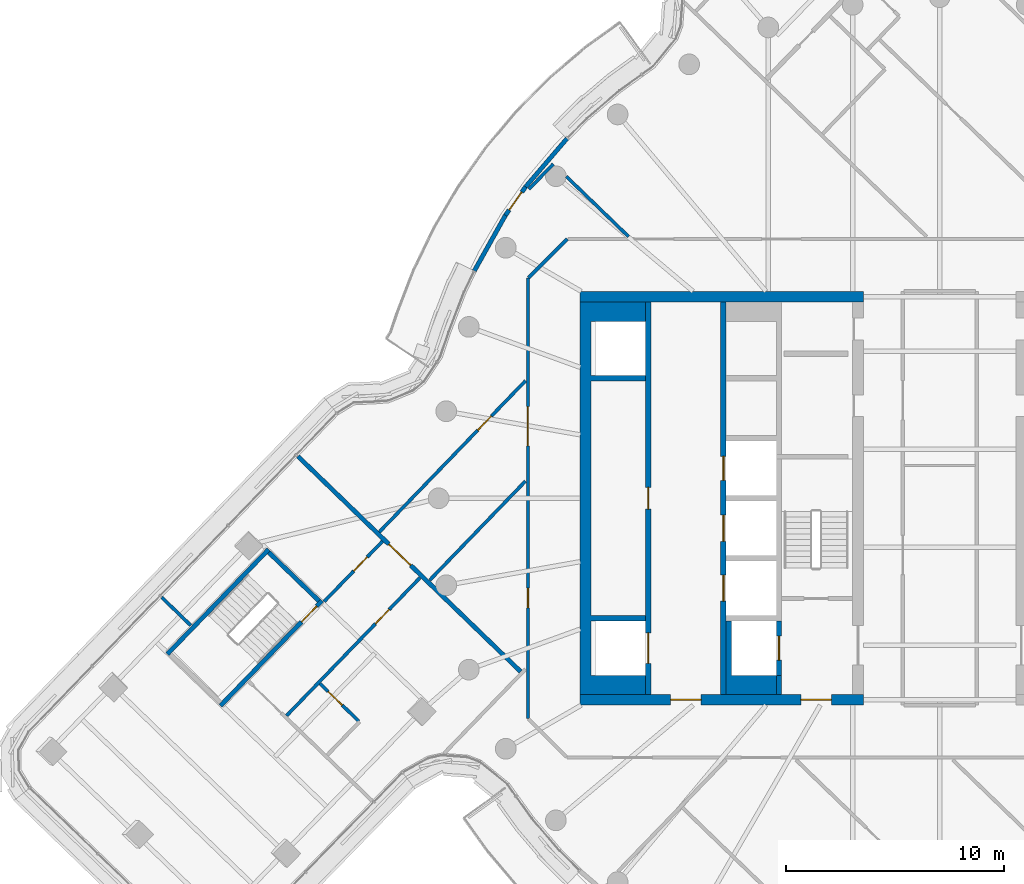
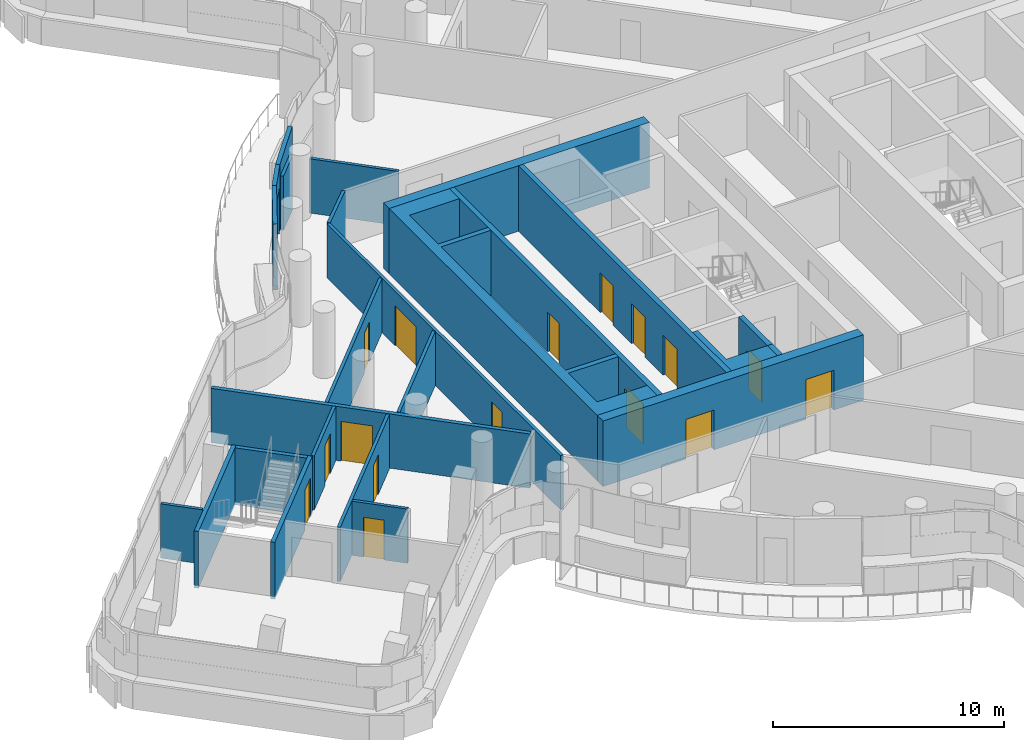
# One storey, part 20 of 31: 25 walls, 17 doors, 17 openings.
"""IFC4 building model written with IfcOpenShell, lengths in metres."""

from ifc_helpers import new_model, si_unit, direction, frame, frame_2d, origin, place, context, subcontext, project, spatial, polyline, rectangle, outline, extrude, material, layer, layer_set, type_object, element, fill, save


model = new_model("IFC4")

# Units and contexts
model_context = context("Model", 3, precision=1e-05, world=origin(), true_north=direction((0.0, 1.0)))
body_context = subcontext(model_context, "Body", "Model", "MODEL_VIEW")
ifc_project = project(units=[si_unit("LENGTHUNIT", "METRE"), si_unit("AREAUNIT", "SQUARE_METRE"), si_unit("VOLUMEUNIT", "CUBIC_METRE"), si_unit("PLANEANGLEUNIT", "RADIAN"), si_unit("MASSUNIT", "GRAM", prefix="KILO")], contexts=[model_context])

# Site, building, storey
site_placement = place(None, origin())
site = spatial("IfcSite", under=ifc_project, at=site_placement, CompositionType="ELEMENT")
building_placement = place(site_placement, origin())
building = spatial("IfcBuilding", under=site, at=building_placement, Name="Tamarind Cross Interchange Tower", CompositionType="ELEMENT")
storey_placement = place(building_placement, frame((0.0, 0.0, 200.5)))
storey = spatial("IfcBuildingStorey", under=building, at=storey_placement, Name="L50", CompositionType="ELEMENT", Elevation=200.5)

# Walls
ifc_material_1 = material(Name="Concrete C40", Category="concrete")
ifc_layer_1 = layer(ifc_material_1, 0.199951171875)
ifc_layer_set_1 = layer_set([ifc_layer_1], Name="Concrete C40")
wall_type_1 = type_object("IfcWallType", Name="Balcony and garden door wall", PredefinedType="SOLIDWALL", material=ifc_layer_set_1)
wall_1_placement = place(storey_placement, frame((-17.105712890625, 16.515625, 0.0), z_axis=(0.0, 0.0, 1.0), x_axis=(-0.651107622301, -0.758985417635, 0.0)))
element("IfcWall", 1, at=wall_1_placement, inside=storey, type_object=wall_type_1, Name="EXW-L50-10-D02L", PredefinedType="SOLIDWALL", context=body_context, shape_type="SweptSolid", body=[
    extrude(rectangle(XDim=2.924072265625, YDim=0.199951171875, at=frame_2d((1.4619140625, 0.0))), origin(), (0.0, 0.0, 1.0), 3.4599609375),
])
wall_2_placement = place(storey_placement, frame((-19.93359375, 12.990478515625, 0.0), z_axis=(0.0, 0.0, 1.0), x_axis=(-0.488305904859, -0.872672529234, 0.0)))
element("IfcWall", 2, at=wall_2_placement, inside=storey, type_object=wall_type_1, Name="EXW-L50-10-D02R", PredefinedType="SOLIDWALL", context=body_context, shape_type="SweptSolid", body=[
    extrude(rectangle(XDim=2.92431640625, YDim=0.199951171875, at=frame_2d((1.462158203125, 0.0))), origin(), (0.0, 0.0, 1.0), 3.4599609375),
])

# Wall, opening, door
wall_3_placement = place(storey_placement, frame((-19.009521484375, 14.29638671875, 0.0), z_axis=(0.0, 0.0, 1.0), x_axis=(-0.577623490405, -0.816303315767, 0.0)))
wall_3 = element("IfcWall", 3, at=wall_3_placement, inside=storey, type_object=wall_type_1, Name="EXW-L50-10-D02", PredefinedType="SOLIDWALL", context=body_context, shape_type="SweptSolid", body=[
    extrude(rectangle(XDim=1.599853515625, YDim=0.199951171875, at=frame_2d((0.7998046875, 0.0))), origin(), (0.0, 0.0, 1.0), 3.4599609375),
])
opening_1_placement = place(wall_3_placement, frame((0.300048828125, 0.0, 0.0)))
opening_1 = element("IfcOpeningElement", 4, at=opening_1_placement, cuts=wall_3, Name="Opening D2", PredefinedType="OPENING", context=body_context, shape_type="SweptSolid", body=[
    extrude(rectangle(XDim=1.0, YDim=2.39990234375, at=frame_2d((0.5, 1.199951171875))), frame((0.0, 0.10986328125, 0.0), z_axis=(0.0, -1.0, 0.0), x_axis=(1.0, 0.0, 0.0)), (0.0, 0.0, 1.0), 0.219970703125),
])
ifc_material_2 = material(Name="Aluminium and toughened glass", Category="aluminium")
door_type_1 = type_object("IfcDoorType", Name="Balcony and garden door", OperationType="SINGLE_SWING_LEFT", PredefinedType="DOOR", material=ifc_material_2)
door_1_placement = place(opening_1_placement, origin())
door_1 = element("IfcDoor", 5, at=door_1_placement, inside=storey, type_object=door_type_1, Name="DOR-L50-10-02", OperationType="SINGLE_SWING_LEFT", OverallHeight=2.39990234375, OverallWidth=1.0, PredefinedType="DOOR", context=body_context, shape_type="SweptSolid", body=[
    extrude(rectangle(XDim=1.0, YDim=2.39990234375, at=frame_2d((0.5, 1.199951171875))), frame((0.0, 0.02490234375, 0.0), z_axis=(0.0, -1.0, 0.0), x_axis=(1.0, 0.0, 0.0)), (0.0, 0.0, 1.0), 0.050048828125),
])
fill(opening_1, door_1)

# Wall, openings, doors
ifc_material_3 = material(Name="Concrete C55", Category="concrete")
ifc_layer_2 = layer(ifc_material_3, 0.5)
ifc_layer_set_2 = layer_set([ifc_layer_2], Name="Concrete C55")
wall_type_2 = type_object("IfcWallType", Name="Core wall 500 mm Concrete C55", PredefinedType="SHEAR", material=ifc_layer_set_2)
wall_4_placement = place(storey_placement, frame((-16.5, -9.25, 0.0), z_axis=(0.0, 0.0, 1.0), x_axis=(1.0, 0.0, 0.0)))
wall_4 = element("IfcWall", 6, at=wall_4_placement, inside=storey, type_object=wall_type_2, Name="Core wall CWL-L50-W-S", PredefinedType="SHEAR", context=body_context, shape_type="SweptSolid", body=[
    extrude(rectangle(XDim=13.0, YDim=0.5, at=frame_2d((6.5, 0.0))), origin(), (0.0, 0.0, 1.0), 3.4599609375),
])
opening_2_placement = place(wall_4_placement, frame((4.14990234375, 0.0, 0.0)))
opening_2 = element("IfcOpeningElement", 7, at=opening_2_placement, cuts=wall_4, Name="Opening DCW1", PredefinedType="OPENING", context=body_context, shape_type="SweptSolid", body=[
    extrude(rectangle(XDim=1.39990234375, YDim=2.10009765625, at=frame_2d((0.699951171875, 1.050048828125))), frame((0.0, 0.260009765625, 0.0), z_axis=(0.0, -1.0, 0.0), x_axis=(1.0, 0.0, 0.0)), (0.0, 0.0, 1.0), 0.52001953125),
])
opening_3_placement = place(wall_4_placement, frame((10.125, 0.0, 0.0)))
opening_3 = element("IfcOpeningElement", 8, at=opening_3_placement, cuts=wall_4, Name="Opening DCWF", PredefinedType="OPENING", context=body_context, shape_type="SweptSolid", body=[
    extrude(rectangle(XDim=1.39990234375, YDim=2.10009765625, at=frame_2d((0.699951171875, 1.050048828125))), frame((0.0, 0.260009765625, 0.0), z_axis=(0.0, -1.0, 0.0), x_axis=(1.0, 0.0, 0.0)), (0.0, 0.0, 1.0), 0.52001953125),
])
ifc_material_4 = material(Name="Steel, fire-resisting", Category="steel")
door_type_2 = type_object("IfcDoorType", Name="Core fire door 1400 x 2100 FD90", OperationType="SINGLE_SWING_LEFT", PredefinedType="DOOR", material=ifc_material_4)
door_2_placement = place(opening_2_placement, origin())
door_2 = element("IfcDoor", 9, at=door_2_placement, inside=storey, type_object=door_type_2, Name="L50 lift lobby door", OperationType="SINGLE_SWING_LEFT", OverallHeight=2.10009765625, OverallWidth=1.39990234375, PredefinedType="DOOR", context=body_context, shape_type="SweptSolid", body=[
    extrude(rectangle(XDim=1.39990234375, YDim=2.10009765625, at=frame_2d((0.699951171875, 1.050048828125))), frame((0.0, 0.02490234375, 0.0), z_axis=(0.0, -1.0, 0.0), x_axis=(1.0, 0.0, 0.0)), (0.0, 0.0, 1.0), 0.050048828125),
])
fill(opening_2, door_2)
door_3_placement = place(opening_3_placement, origin())
door_3 = element("IfcDoor", 10, at=door_3_placement, inside=storey, type_object=door_type_2, Name="L50 firefighting lobby end door", OperationType="SINGLE_SWING_LEFT", OverallHeight=2.10009765625, OverallWidth=1.39990234375, PredefinedType="DOOR", context=body_context, shape_type="SweptSolid", body=[
    extrude(rectangle(XDim=1.39990234375, YDim=2.10009765625, at=frame_2d((0.699951171875, 1.050048828125))), frame((0.0, 0.02490234375, 0.0), z_axis=(0.0, -1.0, 0.0), x_axis=(1.0, 0.0, 0.0)), (0.0, 0.0, 1.0), 0.050048828125),
])
fill(opening_3, door_3)

# Walls
wall_5_placement = place(storey_placement, origin())
element("IfcWall", 11, at=wall_5_placement, inside=storey, type_object=wall_type_2, Name="Core wall CWL-L50-W-A", PredefinedType="SHEAR", context=body_context, shape_type="SweptSolid", body=[
    extrude(outline(polyline([(-13.5, -8.125), (-16.0, -8.125), (-16.0, -5.625), (-13.5, -5.625), (-13.5, -5.375), (-16.0, -5.375), (-16.0, 5.375), (-13.5, 5.375), (-13.5, 5.625), (-16.0, 5.625), (-16.0, 8.125), (-13.5, 8.125), (-13.5, 9.0), (-16.0, 9.0), (-16.5, 9.0), (-16.5, -9.0), (-16.0, -9.0), (-13.5, -9.0), (-13.5, -8.125)])), origin(), (0.0, 0.0, 1.0), 3.4599609375),
])
wall_6_placement = place(storey_placement, frame((-16.5, 9.25, 0.0), z_axis=(0.0, 0.0, 1.0), x_axis=(1.0, 0.0, 0.0)))
element("IfcWall", 12, at=wall_6_placement, inside=storey, type_object=wall_type_2, Name="Core wall CWL-L50-W-NE", PredefinedType="SHEAR", context=body_context, shape_type="SweptSolid", body=[
    extrude(rectangle(XDim=13.0, YDim=0.5, at=frame_2d((6.5, 0.0))), origin(), (0.0, 0.0, 1.0), 3.4599609375),
])
ifc_layer_3 = layer(ifc_material_3, 0.25)
ifc_layer_set_3 = layer_set([ifc_layer_3], Name="Concrete C55")
wall_type_3 = type_object("IfcWallType", Name="Core web wall 250 mm Concrete C55", PredefinedType="SHEAR", material=ifc_layer_set_3)
wall_7_placement = place(storey_placement, origin())
element("IfcWall", 13, at=wall_7_placement, inside=storey, type_object=wall_type_3, Name="Core wall CWL-L50-W-BS", PredefinedType="SHEAR", context=body_context, shape_type="SweptSolid", body=[
    extrude(outline(polyline([(-7.5, -8.125), (-9.550048828125, -8.125), (-9.550048828125, -5.625), (-9.800048828125, -5.625), (-9.800048828125, -8.125), (-9.800048828125, -9.0), (-7.5, -9.0), (-7.5, -8.125)])), origin(), (0.0, 0.0, 1.0), 3.4599609375),
])
wall_8_placement = place(storey_placement, frame((-7.375, -9.0, 0.0), z_axis=(0.0, 0.0, 1.0), x_axis=(0.0, 1.0, 0.0)))
element("IfcWall", 14, at=wall_8_placement, inside=storey, type_object=wall_type_3, Name="Core wall CWL-L50-W-BW", PredefinedType="SHEAR", context=body_context, shape_type="SweptSolid", body=[
    extrude(rectangle(XDim=0.875, YDim=0.25, at=frame_2d((0.4375, 0.0))), origin(), (0.0, 0.0, 1.0), 3.4599609375),
])

# Wall, openings, doors
wall_9_placement = place(storey_placement, frame((-13.375, -9.0, 0.0), z_axis=(0.0, 0.0, 1.0), x_axis=(0.0, 1.0, 0.0)))
wall_9 = element("IfcWall", 15, at=wall_9_placement, inside=storey, type_object=wall_type_3, Name="Core wall CWL-L50-W-LA", PredefinedType="SHEAR", context=body_context, shape_type="SweptSolid", body=[
    extrude(rectangle(XDim=18.0, YDim=0.25, at=frame_2d((9.0, 0.0))), origin(), (0.0, 0.0, 1.0), 3.4599609375),
])
opening_4_placement = place(wall_9_placement, frame((1.425048828125, 0.0, 0.0)))
opening_4 = element("IfcOpeningElement", 16, at=opening_4_placement, cuts=wall_9, Name="Opening LD1L50", PredefinedType="OPENING", context=body_context, shape_type="SweptSolid", body=[
    extrude(rectangle(XDim=1.39990234375, YDim=2.10009765625, at=frame_2d((0.699951171875, 1.050048828125))), frame((0.0, 0.135009765625, 0.0), z_axis=(0.0, -1.0, 0.0), x_axis=(1.0, 0.0, 0.0)), (0.0, 0.0, 1.0), 0.27001953125),
])
opening_5_placement = place(wall_9_placement, frame((8.5, 0.0, 0.0)))
opening_5 = element("IfcOpeningElement", 17, at=opening_5_placement, cuts=wall_9, Name="Opening DCW9", PredefinedType="OPENING", context=body_context, shape_type="SweptSolid", body=[
    extrude(rectangle(XDim=1.0, YDim=2.10009765625, at=frame_2d((0.5, 1.050048828125))), frame((0.0, 0.135009765625, 0.0), z_axis=(0.0, -1.0, 0.0), x_axis=(1.0, 0.0, 0.0)), (0.0, 0.0, 1.0), 0.27001953125),
])
door_type_3 = type_object("IfcDoorType", Name="Core fire door 1000 x 2100 FD90", OperationType="SINGLE_SWING_LEFT", PredefinedType="DOOR", material=ifc_material_4)
door_4_placement = place(opening_5_placement, origin())
door_4 = element("IfcDoor", 18, at=door_4_placement, inside=storey, type_object=door_type_3, Name="L50 Linen press door", OperationType="SINGLE_SWING_LEFT", OverallHeight=2.10009765625, OverallWidth=1.0, PredefinedType="DOOR", context=body_context, shape_type="SweptSolid", body=[
    extrude(rectangle(XDim=1.0, YDim=2.10009765625, at=frame_2d((0.5, 1.050048828125))), frame((0.0, 0.02490234375, 0.0), z_axis=(0.0, -1.0, 0.0), x_axis=(1.0, 0.0, 0.0)), (0.0, 0.0, 1.0), 0.050048828125),
])
fill(opening_5, door_4)
ifc_material_5 = material(Name="Stainless steel panel", Category="steel")
door_type_4 = type_object("IfcDoorType", Name="Lift landing door 1400 x 2100 E 120", OperationType="SLIDING_TO_LEFT", PredefinedType="DOOR", material=ifc_material_5)
door_5_placement = place(opening_4_placement, origin())
door_5 = element("IfcDoor", 19, at=door_5_placement, inside=storey, type_object=door_type_4, Name="L50 landing door LF1", OperationType="SLIDING_TO_LEFT", OverallHeight=2.10009765625, OverallWidth=1.39990234375, PredefinedType="DOOR", context=body_context, shape_type="SweptSolid", body=[
    extrude(rectangle(XDim=1.39990234375, YDim=2.10009765625, at=frame_2d((0.699951171875, 1.050048828125))), frame((0.0, 0.02490234375, 0.0), z_axis=(0.0, -1.0, 0.0), x_axis=(1.0, 0.0, 0.0)), (0.0, 0.0, 1.0), 0.050048828125),
])
fill(opening_4, door_5)

wall_10_placement = place(storey_placement, frame((-9.925048828125, -9.0, 0.0), z_axis=(0.0, 0.0, 1.0), x_axis=(0.0, 1.0, 0.0)))
wall_10 = element("IfcWall", 20, at=wall_10_placement, inside=storey, type_object=wall_type_3, Name="Core wall CWL-L50-W-LB", PredefinedType="SHEAR", context=body_context, shape_type="SweptSolid", body=[
    extrude(rectangle(XDim=18.0, YDim=0.25, at=frame_2d((9.0, 0.0))), origin(), (0.0, 0.0, 1.0), 3.4599609375),
])
opening_6_placement = place(wall_10_placement, frame((4.27490234375, 0.0, 0.0)))
opening_6 = element("IfcOpeningElement", 21, at=opening_6_placement, cuts=wall_10, Name="Opening LD8L50", PredefinedType="OPENING", context=body_context, shape_type="SweptSolid", body=[
    extrude(rectangle(XDim=1.199951171875, YDim=2.10009765625, at=frame_2d((0.60009765625, 1.050048828125))), frame((0.0, 0.135009765625, 0.0), z_axis=(0.0, -1.0, 0.0), x_axis=(1.0, 0.0, 0.0)), (0.0, 0.0, 1.0), 0.27001953125),
])
opening_7_placement = place(wall_10_placement, frame((7.02490234375, 0.0, 0.0)))
opening_7 = element("IfcOpeningElement", 22, at=opening_7_placement, cuts=wall_10, Name="Opening LD9L50", PredefinedType="OPENING", context=body_context, shape_type="SweptSolid", body=[
    extrude(rectangle(XDim=1.199951171875, YDim=2.10009765625, at=frame_2d((0.60009765625, 1.050048828125))), frame((0.0, 0.135009765625, 0.0), z_axis=(0.0, -1.0, 0.0), x_axis=(1.0, 0.0, 0.0)), (0.0, 0.0, 1.0), 0.27001953125),
])
opening_8_placement = place(wall_10_placement, frame((9.824951171875, 0.0, 0.0)))
opening_8 = element("IfcOpeningElement", 23, at=opening_8_placement, cuts=wall_10, Name="Opening LD10L50", PredefinedType="OPENING", context=body_context, shape_type="SweptSolid", body=[
    extrude(rectangle(XDim=1.10009765625, YDim=2.10009765625, at=frame_2d((0.550048828125, 1.050048828125))), frame((0.0, 0.135009765625, 0.0), z_axis=(0.0, -1.0, 0.0), x_axis=(1.0, 0.0, 0.0)), (0.0, 0.0, 1.0), 0.27001953125),
])
door_type_5 = type_object("IfcDoorType", Name="Lift landing door 1100 x 2100 E 120", OperationType="SLIDING_TO_LEFT", PredefinedType="DOOR", material=ifc_material_5)
door_6_placement = place(opening_8_placement, origin())
door_6 = element("IfcDoor", 24, at=door_6_placement, inside=storey, type_object=door_type_5, Name="L50 landing door LF10", OperationType="SLIDING_TO_LEFT", OverallHeight=2.10009765625, OverallWidth=1.10009765625, PredefinedType="DOOR", context=body_context, shape_type="SweptSolid", body=[
    extrude(rectangle(XDim=1.10009765625, YDim=2.10009765625, at=frame_2d((0.550048828125, 1.050048828125))), frame((0.0, 0.02490234375, 0.0), z_axis=(0.0, -1.0, 0.0), x_axis=(1.0, 0.0, 0.0)), (0.0, 0.0, 1.0), 0.050048828125),
])
fill(opening_8, door_6)
door_type_6 = type_object("IfcDoorType", Name="Lift landing door 1200 x 2100 E 120", OperationType="SLIDING_TO_LEFT", PredefinedType="DOOR", material=ifc_material_5)
door_7_placement = place(opening_6_placement, origin())
door_7 = element("IfcDoor", 25, at=door_7_placement, inside=storey, type_object=door_type_6, Name="L50 landing door LF8", OperationType="SLIDING_TO_LEFT", OverallHeight=2.10009765625, OverallWidth=1.199951171875, PredefinedType="DOOR", context=body_context, shape_type="SweptSolid", body=[
    extrude(rectangle(XDim=1.199951171875, YDim=2.10009765625, at=frame_2d((0.60009765625, 1.050048828125))), frame((0.0, 0.02490234375, 0.0), z_axis=(0.0, -1.0, 0.0), x_axis=(1.0, 0.0, 0.0)), (0.0, 0.0, 1.0), 0.050048828125),
])
fill(opening_6, door_7)
door_8_placement = place(opening_7_placement, origin())
door_8 = element("IfcDoor", 26, at=door_8_placement, inside=storey, type_object=door_type_6, Name="L50 landing door LF9", OperationType="SLIDING_TO_LEFT", OverallHeight=2.10009765625, OverallWidth=1.199951171875, PredefinedType="DOOR", context=body_context, shape_type="SweptSolid", body=[
    extrude(rectangle(XDim=1.199951171875, YDim=2.10009765625, at=frame_2d((0.60009765625, 1.050048828125))), frame((0.0, 0.02490234375, 0.0), z_axis=(0.0, -1.0, 0.0), x_axis=(1.0, 0.0, 0.0)), (0.0, 0.0, 1.0), 0.050048828125),
])
fill(opening_7, door_8)

# Wall, opening, door
wall_11_placement = place(storey_placement, frame((-7.375, -8.125, 0.0), z_axis=(0.0, 0.0, 1.0), x_axis=(0.0, 1.0, 0.0)))
wall_11 = element("IfcWall", 27, at=wall_11_placement, inside=storey, type_object=wall_type_3, Name="Core wall CWL-L50-W-FF", PredefinedType="SHEAR", context=body_context, shape_type="SweptSolid", body=[
    extrude(rectangle(XDim=2.5, YDim=0.25, at=frame_2d((1.25, 0.0))), origin(), (0.0, 0.0, 1.0), 3.4599609375),
])
opening_9_placement = place(wall_11_placement, frame((0.699951171875, 0.0, 0.0)))
opening_9 = element("IfcOpeningElement", 28, at=opening_9_placement, cuts=wall_11, Name="Opening LD7L50", PredefinedType="OPENING", context=body_context, shape_type="SweptSolid", body=[
    extrude(rectangle(XDim=1.10009765625, YDim=2.10009765625, at=frame_2d((0.550048828125, 1.050048828125))), frame((0.0, 0.135009765625, 0.0), z_axis=(0.0, -1.0, 0.0), x_axis=(1.0, 0.0, 0.0)), (0.0, 0.0, 1.0), 0.27001953125),
])
door_9_placement = place(opening_9_placement, origin())
door_9 = element("IfcDoor", 29, at=door_9_placement, inside=storey, type_object=door_type_5, Name="L50 landing door LF7", OperationType="SLIDING_TO_LEFT", OverallHeight=2.10009765625, OverallWidth=1.10009765625, PredefinedType="DOOR", context=body_context, shape_type="SweptSolid", body=[
    extrude(rectangle(XDim=1.10009765625, YDim=2.10009765625, at=frame_2d((0.550048828125, 1.050048828125))), frame((0.0, 0.02490234375, 0.0), z_axis=(0.0, -1.0, 0.0), x_axis=(1.0, 0.0, 0.0)), (0.0, 0.0, 1.0), 0.050048828125),
])
fill(opening_9, door_9)

# Wall
ifc_material_6 = material(Name="Gypsum board partition on steel studs", Category="steel")
ifc_layer_4 = layer(ifc_material_6, 0.14990234375)
ifc_layer_set_4 = layer_set([ifc_layer_4], Name="Gypsum board partition on steel studs")
wall_type_4 = type_object("IfcWallType", Name="Partition 150 mm EI 120", PredefinedType="PARTITIONING", material=ifc_layer_set_4)
wall_12_placement = place(storey_placement, frame((-35.71240234375, -4.546630859375, 0.0), z_axis=(0.0, 0.0, 1.0), x_axis=(0.718699529119, -0.695320779816, 0.0)))
element("IfcWall", 30, at=wall_12_placement, inside=storey, type_object=wall_type_4, Name="Partition L50-003", PredefinedType="PARTITIONING", context=body_context, shape_type="SweptSolid", body=[
    extrude(rectangle(XDim=1.85888671875, YDim=0.14990234375, at=frame_2d((0.929443359375, 0.0))), origin(), (0.0, 0.0, 1.0), 2.864013671875),
])

# Wall, opening, door
wall_13_placement = place(storey_placement, frame((-28.446533203125, -8.510498046875, 0.0), z_axis=(0.0, 0.0, 1.0), x_axis=(0.7189194935, -0.695093347591, 0.0)))
wall_13 = element("IfcWall", 31, at=wall_13_placement, inside=storey, type_object=wall_type_4, Name="Partition L50-006", PredefinedType="PARTITIONING", context=body_context, shape_type="SweptSolid", body=[
    extrude(rectangle(XDim=2.479736328125, YDim=0.14990234375, at=frame_2d((1.23974609375, 0.0))), origin(), (0.0, 0.0, 1.0), 2.864013671875),
])
opening_10_placement = place(wall_13_placement, frame((0.52001953125, 0.0, 0.0)))
opening_10 = element("IfcOpeningElement", 32, at=opening_10_placement, cuts=wall_13, Name="Opening D03", PredefinedType="OPENING", context=body_context, shape_type="SweptSolid", body=[
    extrude(rectangle(XDim=0.89990234375, YDim=2.10009765625, at=frame_2d((0.449951171875, 1.050048828125))), frame((0.0, 0.0849609375, 0.0), z_axis=(0.0, -1.0, 0.0), x_axis=(1.0, 0.0, 0.0)), (0.0, 0.0, 1.0), 0.169921875),
])
ifc_material_7 = material(Name="Fire-resisting door set")
door_type_7 = type_object("IfcDoorType", Name="Interior door 900 x 2100 FD60S", OperationType="SINGLE_SWING_LEFT", PredefinedType="DOOR", material=ifc_material_7)
door_10_placement = place(opening_10_placement, frame((0.89990234375, 0.0, 0.0), z_axis=(0.0, 0.0, 1.0), x_axis=(-1.0, 0.0, 0.0)))
door_10 = element("IfcDoor", 33, at=door_10_placement, inside=storey, type_object=door_type_7, Name="Door D03", OperationType="SINGLE_SWING_LEFT", OverallHeight=2.10009765625, OverallWidth=0.89990234375, PredefinedType="DOOR", context=body_context, shape_type="SweptSolid", body=[
    extrude(rectangle(XDim=0.89990234375, YDim=2.10009765625, at=frame_2d((0.449951171875, 1.050048828125))), frame((0.0, 0.02490234375, 0.0), z_axis=(0.0, -1.0, 0.0), x_axis=(1.0, 0.0, 0.0)), (0.0, 0.0, 1.0), 0.050048828125),
])
fill(opening_10, door_10)

# Walls
wall_14_placement = place(storey_placement, frame((-17.137451171875, 14.771240234375, 0.0), z_axis=(0.0, 0.0, 1.0), x_axis=(0.719023191533, -0.694986079025, 0.0)))
element("IfcWall", 34, at=wall_14_placement, inside=storey, type_object=wall_type_4, Name="Partition L50-007", PredefinedType="PARTITIONING", context=body_context, shape_type="SweptSolid", body=[
    extrude(rectangle(XDim=3.971435546875, YDim=0.14990234375, at=frame_2d((1.98583984375, 0.0))), origin(), (0.0, 0.0, 1.0), 2.864013671875),
])
wall_15_placement = place(storey_placement, frame((-18.87158203125, 10.12841796875, 0.0), z_axis=(0.0, 0.0, 1.0), x_axis=(0.707106781187, 0.707106781187, 0.0)))
element("IfcWall", 35, at=wall_15_placement, inside=storey, type_object=wall_type_4, Name="Partition L50-037", PredefinedType="PARTITIONING", context=body_context, shape_type="SweptSolid", body=[
    extrude(rectangle(XDim=2.50537109375, YDim=0.14990234375, at=frame_2d((1.252685546875, 0.0))), origin(), (0.0, 0.0, 1.0), 2.864013671875),
])

# Wall, opening, door
wall_16_placement = place(storey_placement, frame((-29.977294921875, -9.9794921875, 0.0), z_axis=(0.0, 0.0, 1.0), x_axis=(0.694949427695, 0.719058615793, 0.0)))
wall_16 = element("IfcWall", 36, at=wall_16_placement, inside=storey, type_object=wall_type_4, Name="Partition L50-039", PredefinedType="PARTITIONING", context=body_context, shape_type="SweptSolid", body=[
    extrude(rectangle(XDim=8.7998046875, YDim=0.14990234375, at=frame_2d((4.39990234375, 0.0))), origin(), (0.0, 0.0, 1.0), 2.864013671875),
])
opening_11_placement = place(wall_16_placement, frame((5.8701171875, 0.0, 0.0)))
opening_11 = element("IfcOpeningElement", 37, at=opening_11_placement, cuts=wall_16, Name="Opening D23", PredefinedType="OPENING", context=body_context, shape_type="SweptSolid", body=[
    extrude(rectangle(XDim=0.89990234375, YDim=2.10009765625, at=frame_2d((0.449951171875, 1.050048828125))), frame((0.0, 0.0849609375, 0.0), z_axis=(0.0, -1.0, 0.0), x_axis=(1.0, 0.0, 0.0)), (0.0, 0.0, 1.0), 0.169921875),
])
door_11_placement = place(opening_11_placement, frame((0.89990234375, 0.0, 0.0), z_axis=(0.0, 0.0, 1.0), x_axis=(-1.0, 0.0, 0.0)))
door_11 = element("IfcDoor", 38, at=door_11_placement, inside=storey, type_object=door_type_7, Name="Door D23", OperationType="SINGLE_SWING_RIGHT", OverallHeight=2.10009765625, OverallWidth=0.89990234375, PredefinedType="DOOR", context=body_context, shape_type="SweptSolid", body=[
    extrude(rectangle(XDim=0.89990234375, YDim=2.10009765625, at=frame_2d((0.449951171875, 1.050048828125))), frame((0.0, 0.02490234375, 0.0), z_axis=(0.0, -1.0, 0.0), x_axis=(1.0, 0.0, 0.0)), (0.0, 0.0, 1.0), 0.050048828125),
])
fill(opening_11, door_11)

wall_17_placement = place(storey_placement, frame((-28.25634765625, -4.745361328125, 0.0), z_axis=(0.0, 0.0, 1.0), x_axis=(0.69501991717, 0.718990483064, 0.0)))
wall_17 = element("IfcWall", 39, at=wall_17_placement, inside=storey, type_object=wall_type_4, Name="Partition L50-040", PredefinedType="PARTITIONING", context=body_context, shape_type="SweptSolid", body=[
    extrude(rectangle(XDim=3.860107421875, YDim=0.14990234375, at=frame_2d((1.93017578125, 0.0))), origin(), (0.0, 0.0, 1.0), 2.864013671875),
])
opening_12_placement = place(wall_17_placement, frame((1.949951171875, 0.0, 0.0)))
opening_12 = element("IfcOpeningElement", 40, at=opening_12_placement, cuts=wall_17, Name="Opening D24", PredefinedType="OPENING", context=body_context, shape_type="SweptSolid", body=[
    extrude(rectangle(XDim=0.89990234375, YDim=2.10009765625, at=frame_2d((0.449951171875, 1.050048828125))), frame((0.0, 0.0849609375, 0.0), z_axis=(0.0, -1.0, 0.0), x_axis=(1.0, 0.0, 0.0)), (0.0, 0.0, 1.0), 0.169921875),
])
door_12_placement = place(opening_12_placement, origin())
door_12 = element("IfcDoor", 41, at=door_12_placement, inside=storey, type_object=door_type_7, Name="Door D24", OperationType="SINGLE_SWING_LEFT", OverallHeight=2.10009765625, OverallWidth=0.89990234375, PredefinedType="DOOR", context=body_context, shape_type="SweptSolid", body=[
    extrude(rectangle(XDim=0.89990234375, YDim=2.10009765625, at=frame_2d((0.449951171875, 1.050048828125))), frame((0.0, 0.02490234375, 0.0), z_axis=(0.0, -1.0, 0.0), x_axis=(1.0, 0.0, 0.0)), (0.0, 0.0, 1.0), 0.050048828125),
])
fill(opening_12, door_12)

wall_18_placement = place(storey_placement, frame((-25.721435546875, -1.548095703125, 0.0), z_axis=(0.0, 0.0, 1.0), x_axis=(0.694993774498, 0.719015753241, 0.0)))
wall_18 = element("IfcWall", 42, at=wall_18_placement, inside=storey, type_object=wall_type_4, Name="Partition L50-042", PredefinedType="PARTITIONING", context=body_context, shape_type="SweptSolid", body=[
    extrude(rectangle(XDim=9.655029296875, YDim=0.14990234375, at=frame_2d((4.82763671875, 0.0))), origin(), (0.0, 0.0, 1.0), 2.864013671875),
])
opening_13_placement = place(wall_18_placement, frame((6.5, 0.0, 0.0)))
opening_13 = element("IfcOpeningElement", 43, at=opening_13_placement, cuts=wall_18, Name="Opening D25", PredefinedType="OPENING", context=body_context, shape_type="SweptSolid", body=[
    extrude(rectangle(XDim=0.89990234375, YDim=2.10009765625, at=frame_2d((0.449951171875, 1.050048828125))), frame((0.0, 0.0849609375, 0.0), z_axis=(0.0, -1.0, 0.0), x_axis=(1.0, 0.0, 0.0)), (0.0, 0.0, 1.0), 0.169921875),
])
door_13_placement = place(opening_13_placement, origin())
door_13 = element("IfcDoor", 44, at=door_13_placement, inside=storey, type_object=door_type_7, Name="Door D25", OperationType="SINGLE_SWING_LEFT", OverallHeight=2.10009765625, OverallWidth=0.89990234375, PredefinedType="DOOR", context=body_context, shape_type="SweptSolid", body=[
    extrude(rectangle(XDim=0.89990234375, YDim=2.10009765625, at=frame_2d((0.449951171875, 1.050048828125))), frame((0.0, 0.02490234375, 0.0), z_axis=(0.0, -1.0, 0.0), x_axis=(1.0, 0.0, 0.0)), (0.0, 0.0, 1.0), 0.050048828125),
])
fill(opening_13, door_13)

# Walls
wall_19_placement = place(storey_placement, frame((-23.40771484375, -3.7578125, 0.0), z_axis=(0.0, 0.0, 1.0), x_axis=(0.69504071857, 0.718970374584, 0.0)))
element("IfcWall", 45, at=wall_19_placement, inside=storey, type_object=wall_type_4, Name="Partition L50-043", PredefinedType="PARTITIONING", context=body_context, shape_type="SweptSolid", body=[
    extrude(rectangle(XDim=6.325439453125, YDim=0.14990234375, at=frame_2d((3.16259765625, 0.0))), origin(), (0.0, 0.0, 1.0), 2.864013671875),
])
wall_20_placement = place(storey_placement, frame((-18.859375, 14.18408203125, 0.0), z_axis=(0.0, 0.0, 1.0), x_axis=(0.695170193183, 0.718845186747, 0.0)))
element("IfcWall", 46, at=wall_20_placement, inside=storey, type_object=wall_type_4, Name="Partition L50-045", PredefinedType="PARTITIONING", context=body_context, shape_type="SweptSolid", body=[
    extrude(rectangle(XDim=1.618896484375, YDim=0.14990234375, at=frame_2d((0.8095703125, 0.0))), origin(), (0.0, 0.0, 1.0), 2.864013671875),
])

# Wall, openings, doors
wall_21_placement = place(storey_placement, frame((-18.89990234375, -10.10009765625, 0.0), z_axis=(0.0, 0.0, 1.0), x_axis=(0.0, 1.0, 0.0)))
wall_21 = element("IfcWall", 47, at=wall_21_placement, inside=storey, type_object=wall_type_4, Name="Partition L50-068", PredefinedType="PARTITIONING", context=body_context, shape_type="SweptSolid", body=[
    extrude(rectangle(XDim=20.2001953125, YDim=0.14990234375, at=frame_2d((10.10009765625, 0.0))), origin(), (0.0, 0.0, 1.0), 2.864013671875),
])
opening_14_placement = place(wall_21_placement, frame((12.5048828125, 0.0, 0.0)))
opening_14 = element("IfcOpeningElement", 48, at=opening_14_placement, cuts=wall_21, Name="Opening D37", PredefinedType="OPENING", context=body_context, shape_type="SweptSolid", body=[
    extrude(rectangle(XDim=1.800048828125, YDim=2.10009765625, at=frame_2d((0.89990234375, 1.050048828125))), frame((0.0, 0.0849609375, 0.0), z_axis=(0.0, -1.0, 0.0), x_axis=(1.0, 0.0, 0.0)), (0.0, 0.0, 1.0), 0.169921875),
])
opening_15_placement = place(wall_21_placement, frame((5.072021484375, 0.0, 0.0)))
opening_15 = element("IfcOpeningElement", 49, at=opening_15_placement, cuts=wall_21, Name="Opening D38", PredefinedType="OPENING", context=body_context, shape_type="SweptSolid", body=[
    extrude(rectangle(XDim=0.89990234375, YDim=2.10009765625, at=frame_2d((0.449951171875, 1.050048828125))), frame((0.0, 0.0849609375, 0.0), z_axis=(0.0, -1.0, 0.0), x_axis=(1.0, 0.0, 0.0)), (0.0, 0.0, 1.0), 0.169921875),
])
door_type_8 = type_object("IfcDoorType", Name="Interior door 1800 x 2100 FD60S", OperationType="DOUBLE_DOOR_SINGLE_SWING", PredefinedType="DOOR", material=ifc_material_7)
door_14_placement = place(opening_14_placement, frame((1.800048828125, 0.0, 0.0), z_axis=(0.0, 0.0, 1.0), x_axis=(-1.0, 0.0, 0.0)))
door_14 = element("IfcDoor", 50, at=door_14_placement, inside=storey, type_object=door_type_8, Name="Door D37", OperationType="DOUBLE_DOOR_SINGLE_SWING", OverallHeight=2.10009765625, OverallWidth=1.800048828125, PredefinedType="DOOR", context=body_context, shape_type="SweptSolid", body=[
    extrude(rectangle(XDim=1.800048828125, YDim=2.10009765625, at=frame_2d((0.89990234375, 1.050048828125))), frame((0.0, 0.02490234375, 0.0), z_axis=(0.0, -1.0, 0.0), x_axis=(1.0, 0.0, 0.0)), (0.0, 0.0, 1.0), 0.050048828125),
])
fill(opening_14, door_14)
door_15_placement = place(opening_15_placement, origin())
door_15 = element("IfcDoor", 51, at=door_15_placement, inside=storey, type_object=door_type_7, Name="Door D38", OperationType="SINGLE_SWING_RIGHT", OverallHeight=2.10009765625, OverallWidth=0.89990234375, PredefinedType="DOOR", context=body_context, shape_type="SweptSolid", body=[
    extrude(rectangle(XDim=0.89990234375, YDim=2.10009765625, at=frame_2d((0.449951171875, 1.050048828125))), frame((0.0, 0.02490234375, 0.0), z_axis=(0.0, -1.0, 0.0), x_axis=(1.0, 0.0, 0.0)), (0.0, 0.0, 1.0), 0.050048828125),
])
fill(opening_15, door_15)

# Wall, opening, door
ifc_layer_5 = layer(ifc_material_6, 0.199951171875)
ifc_layer_set_5 = layer_set([ifc_layer_5], Name="Gypsum board partition on steel studs")
wall_type_5 = type_object("IfcWallType", Name="Partition 200 mm EI 180", PredefinedType="PARTITIONING", material=ifc_layer_set_5)
wall_22_placement = place(storey_placement, frame((-29.457763671875, 1.923583984375, 0.0), z_axis=(0.0, 0.0, 1.0), x_axis=(0.719015546542, -0.694993988342, 0.0)))
wall_22 = element("IfcWall", 52, at=wall_22_placement, inside=storey, type_object=wall_type_5, Name="Partition L50-005", PredefinedType="PARTITIONING", context=body_context, shape_type="SweptSolid", body=[
    extrude(rectangle(XDim=14.218505859375, YDim=0.199951171875, at=frame_2d((7.109375, 0.0))), origin(), (0.0, 0.0, 1.0), 2.864013671875),
])
opening_16_placement = place(wall_22_placement, frame((5.798828125, 0.0, 0.0)))
opening_16 = element("IfcOpeningElement", 53, at=opening_16_placement, cuts=wall_22, Name="Opening D02", PredefinedType="OPENING", context=body_context, shape_type="SweptSolid", body=[
    extrude(rectangle(XDim=1.39990234375, YDim=2.10009765625, at=frame_2d((0.699951171875, 1.050048828125))), frame((0.0, 0.10986328125, 0.0), z_axis=(0.0, -1.0, 0.0), x_axis=(1.0, 0.0, 0.0)), (0.0, 0.0, 1.0), 0.219970703125),
])
door_type_9 = type_object("IfcDoorType", Name="Interior door 1400 x 2100 FD120S", OperationType="DOUBLE_DOOR_SINGLE_SWING", PredefinedType="DOOR", material=ifc_material_7)
door_16_placement = place(opening_16_placement, origin())
door_16 = element("IfcDoor", 54, at=door_16_placement, inside=storey, type_object=door_type_9, Name="Door D02", OperationType="DOUBLE_DOOR_SINGLE_SWING", OverallHeight=2.10009765625, OverallWidth=1.39990234375, PredefinedType="DOOR", context=body_context, shape_type="SweptSolid", body=[
    extrude(rectangle(XDim=1.39990234375, YDim=2.10009765625, at=frame_2d((0.699951171875, 1.050048828125))), frame((0.0, 0.02490234375, 0.0), z_axis=(0.0, -1.0, 0.0), x_axis=(1.0, 0.0, 0.0)), (0.0, 0.0, 1.0), 0.050048828125),
])
fill(opening_16, door_16)

ifc_layer_6 = layer(ifc_material_1, 0.199951171875)
ifc_layer_set_6 = layer_set([ifc_layer_6], Name="Concrete C40")
wall_type_6 = type_object("IfcWallType", Name="Stair shaft wall 200 mm Concrete C40", PredefinedType="SHEAR", material=ifc_layer_set_6)
wall_23_placement = place(storey_placement, frame((-28.355712890625, -4.70458984375, -0.139892578125), z_axis=(0.0, 0.0, 1.0), x_axis=(-0.695035282542, -0.718975629644, 0.0)))
wall_23 = element("IfcWall", 55, at=wall_23_placement, inside=storey, type_object=wall_type_6, Name="Core wall CWL-L50-ST5-H", PredefinedType="SHEAR", context=body_context, shape_type="SweptSolid", body=[
    extrude(rectangle(XDim=6.699951171875, YDim=0.199951171875, at=frame_2d((3.35009765625, 0.0))), origin(), (0.0, 0.0, 1.0), 3.00390625),
])
opening_17_placement = place(wall_23_placement, frame((0.35009765625, 0.0, 0.0)))
opening_17 = element("IfcOpeningElement", 56, at=opening_17_placement, cuts=wall_23, Name="Opening ST5L50", PredefinedType="OPENING", context=body_context, shape_type="SweptSolid", body=[
    extrude(rectangle(XDim=1.0, YDim=2.10009765625, at=frame_2d((0.5, 1.050048828125))), frame((0.0, 0.10986328125, 0.0), z_axis=(0.0, -1.0, 0.0), x_axis=(1.0, 0.0, 0.0)), (0.0, 0.0, 1.0), 0.219970703125),
])
door_17_placement = place(opening_17_placement, origin())
door_17 = element("IfcDoor", 57, at=door_17_placement, inside=storey, type_object=door_type_3, Name="L50 stair door ST5", OperationType="SINGLE_SWING_LEFT", OverallHeight=2.10009765625, OverallWidth=1.0, PredefinedType="DOOR", context=body_context, shape_type="SweptSolid", body=[
    extrude(rectangle(XDim=1.0, YDim=2.10009765625, at=frame_2d((0.5, 1.050048828125))), frame((0.0, 0.02490234375, 0.0), z_axis=(0.0, -1.0, 0.0), x_axis=(1.0, 0.0, 0.0)), (0.0, 0.0, 1.0), 0.050048828125),
])
fill(opening_17, door_17)

# Walls
wall_24_placement = place(storey_placement, frame((-30.80029296875, -2.341552734375, -0.139892578125), z_axis=(0.0, 0.0, 1.0), x_axis=(-0.695035282542, -0.718975629644, 0.0)))
element("IfcWall", 58, at=wall_24_placement, inside=storey, type_object=wall_type_6, Name="Core wall CWL-L50-ST5-C", PredefinedType="SHEAR", context=body_context, shape_type="SweptSolid", body=[
    extrude(rectangle(XDim=6.699951171875, YDim=0.199951171875, at=frame_2d((3.35009765625, 0.0))), origin(), (0.0, 0.0, 1.0), 3.00390625),
])
wall_25_placement = place(storey_placement, frame((-30.798095703125, -2.48291015625, -0.139892578125), z_axis=(0.0, 0.0, 1.0), x_axis=(0.718983292765, -0.695027355379, 0.0)))
element("IfcWall", 59, at=wall_25_placement, inside=storey, type_object=wall_type_6, Name="Core wall CWL-L50-ST5-CE", PredefinedType="SHEAR", context=body_context, shape_type="SweptSolid", body=[
    extrude(rectangle(XDim=3.199951171875, YDim=0.199951171875, at=frame_2d((1.60009765625, 0.0))), origin(), (0.0, 0.0, 1.0), 3.00390625),
])

save(model, "model.ifc")
